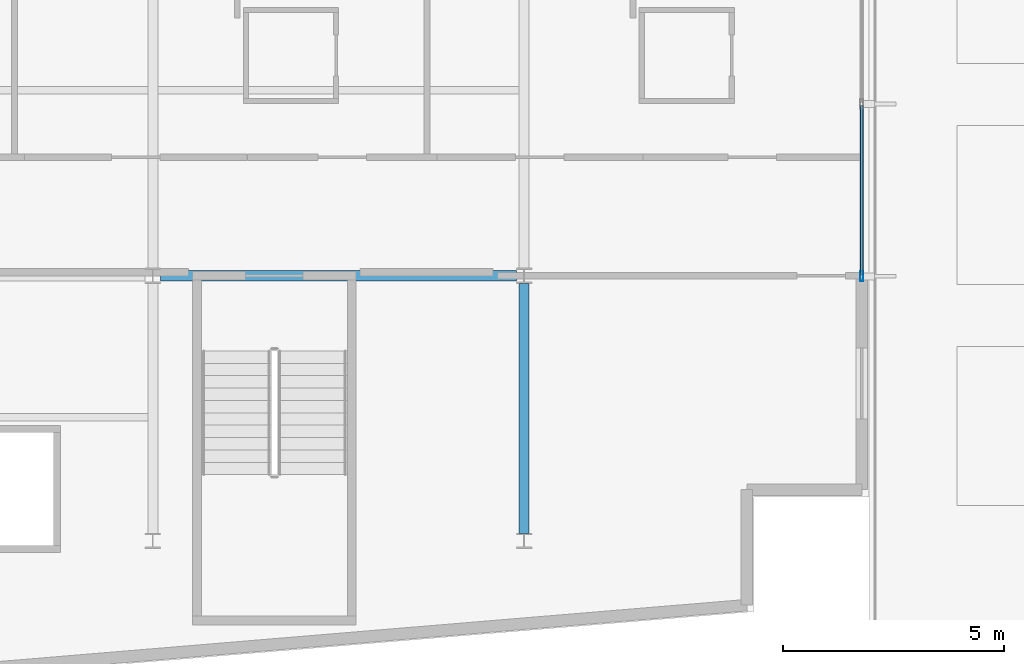
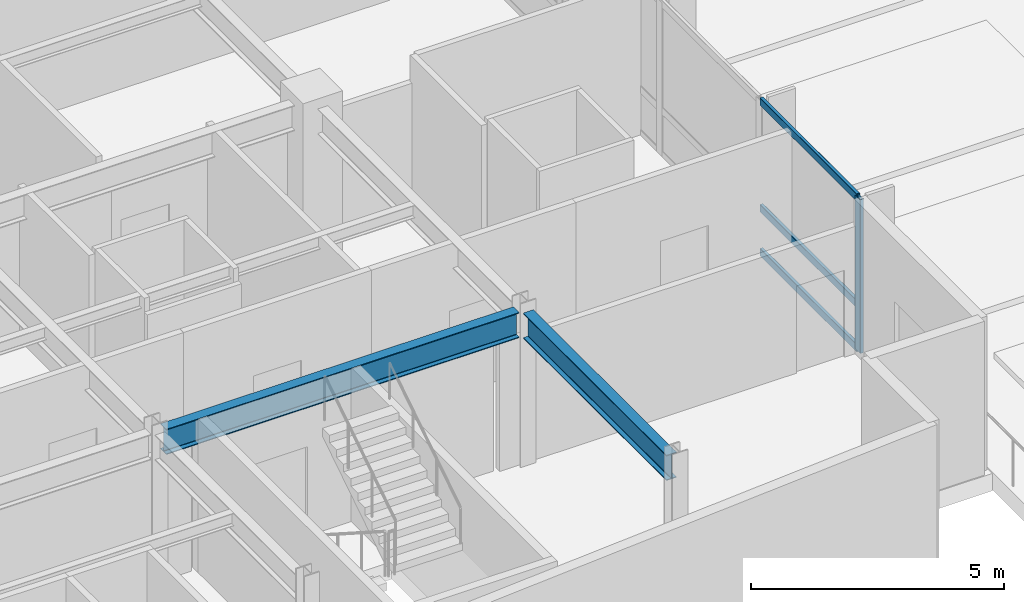
# One storey, part 4 of 20: 4 members, 2 beams, 1 element without a shape of its own.
"""IFC4 building model written with IfcOpenShell, lengths in metres."""

from ifc_helpers import new_model, si_unit, direction, frame, origin, origin_2d, place, context, subcontext, project, spatial, hollow_rectangle, i_section, extrude, material, layer, layer_set, material_profile, profile_set, type_object, element, aggregate, save


model = new_model("IFC4")

# Units and contexts
model_context = context("Model", 3, precision=1e-05, world=origin(), true_north=direction((0.0, 1.0)))
body_context = subcontext(model_context, "Body", "Model", "MODEL_VIEW")
ifc_project = project(units=[si_unit("LENGTHUNIT", "METRE"), si_unit("AREAUNIT", "SQUARE_METRE"), si_unit("VOLUMEUNIT", "CUBIC_METRE"), si_unit("PLANEANGLEUNIT", "RADIAN"), si_unit("MASSUNIT", "GRAM", prefix="KILO")], contexts=[model_context])

# Site, building, storey
site_placement = place(None, origin())
site = spatial("IfcSite", under=ifc_project, at=site_placement, CompositionType="ELEMENT")
building_placement = place(site_placement, origin())
building = spatial("IfcBuilding", under=site, at=building_placement, Name="Varnakote Quay Hospital", CompositionType="ELEMENT")
storey_placement = place(building_placement, frame((0.0, 0.0, 22.5)))
storey = spatial("IfcBuildingStorey", under=building, at=storey_placement, Name="L05", CompositionType="ELEMENT", Elevation=22.5)

# Beams
ifc_material_1 = material(Name="Structural steel AS/NZS 3679.1 Grade 350 L0 (fy 340 MPa)", Category="steel")
ifc_material_profile_1 = material_profile(ifc_material_1, i_section(OverallWidth=0.22900390625, OverallDepth=0.612060546875, WebThickness=0.011962890625, FlangeThickness=0.01953125, FilletRadius=0.013916015625, at=origin_2d()), Name="610UB125")
ifc_profile_set_1 = profile_set([ifc_material_profile_1], Name="Structural steel AS/NZS 3679.1 Grade 350 L0 (fy 340 MPa)")
beam_type = type_object("IfcBeamType", Name="BM-STL-610UB125", PredefinedType="BEAM", material=ifc_profile_set_1)
beam_1_placement = place(storey_placement, frame((42.175048828125, 12.0, 3.404052734375), z_axis=(1.0, 0.0, 0.0), x_axis=(0.0, 1.0, 0.0)))
element("IfcBeam", 1, at=beam_1_placement, inside=storey, type_object=beam_type, Name="L05 Plated Composite Transfer Beam", PredefinedType="BEAM", context=body_context, shape_type="SweptSolid", body=[
    extrude(i_section(OverallWidth=0.22900390625, OverallDepth=0.612060546875, WebThickness=0.011962890625, FlangeThickness=0.01953125, FilletRadius=0.013916015625, at=origin_2d()), origin(), (0.0, 0.0, 1.0), 8.050048828125),
])
beam_2_placement = place(storey_placement, frame((50.39990234375, 6.169921875, 3.404052734375), z_axis=(0.0, 1.0, 0.0), x_axis=(-1.0, 0.0, 0.0)))
element("IfcBeam", 2, at=beam_2_placement, inside=storey, type_object=beam_type, Name="L05 Primary Tie Beam", PredefinedType="BEAM", context=body_context, shape_type="SweptSolid", body=[
    extrude(i_section(OverallWidth=0.22900390625, OverallDepth=0.612060546875, WebThickness=0.011962890625, FlangeThickness=0.01953125, FilletRadius=0.013916015625, at=origin_2d()), origin(), (0.0, 0.0, 1.0), 5.66015625),
])

# Curtain wall, members
ifc_material_2 = material(Name="Anodised aluminium 6063-T6 Bronze", Category="aluminium")
ifc_layer = layer(ifc_material_2, 0.18994140625)
ifc_layer_set = layer_set([ifc_layer], Name="Anodised aluminium 6063-T6 Bronze")
curtain_wall_type = type_object("IfcCurtainWallType", Name="CW-SYS-2", PredefinedType="NOTDEFINED", material=ifc_layer_set)
curtain_wall_placement = place(storey_placement, origin())
curtain_wall = element("IfcCurtainWall", 3, at=curtain_wall_placement, inside=storey, type_object=curtain_wall_type, Name="L05 Unitised Bronze Curtain Wall 1", PredefinedType="NOTDEFINED")
ifc_material_3 = material(Name="Anodised aluminium 6063-T6 Bronze", Category="aluminium")
ifc_material_profile_2 = material_profile(ifc_material_3, hollow_rectangle(XDim=0.074951171875, YDim=0.219970703125, WallThickness=0.00439453125, InnerFilletRadius=0.00439453125, OuterFilletRadius=0.009033203125, at=origin_2d()), Name="CW-MULL-220x75")
ifc_profile_set_2 = profile_set([ifc_material_profile_2], Name="Anodised aluminium 6063-T6 Bronze")
member_type_1 = type_object("IfcMemberType", Name="CW-MULL-220x75", PredefinedType="MULLION", material=ifc_profile_set_2)
member_1_placement = place(storey_placement, frame((58.0400390625, 11.987548828125, 0.0), z_axis=(0.0, 0.0, 1.0), x_axis=(-1.0, 0.0, 0.0)))
member_1 = element("IfcMember", 4, at=member_1_placement, type_object=member_type_1, Name="-2-L05-1 mullion 1", PredefinedType="MULLION", context=body_context, shape_type="SweptSolid", body=[
    extrude(hollow_rectangle(XDim=0.074951171875, YDim=0.219970703125, WallThickness=0.00439453125, InnerFilletRadius=0.00439453125, OuterFilletRadius=0.009033203125, at=origin_2d()), origin(), (0.0, 0.0, 1.0), 3.7099609375),
])
ifc_material_4 = material(Name="Anodised aluminium 6063-T6 Bronze", Category="aluminium")
ifc_material_profile_3 = material_profile(ifc_material_4, hollow_rectangle(XDim=0.074951171875, YDim=0.179931640625, WallThickness=0.004150390625, InnerFilletRadius=0.004150390625, OuterFilletRadius=0.00830078125, at=origin_2d()), Name="CW-TRAN-180x75")
ifc_profile_set_3 = profile_set([ifc_material_profile_3], Name="Anodised aluminium 6063-T6 Bronze")
member_type_2 = type_object("IfcMemberType", Name="CW-TRAN-180x75", PredefinedType="USERDEFINED", material=ifc_profile_set_3)
member_2_placement = place(storey_placement, frame((58.0400390625, 12.02490234375, 0.03759765625), z_axis=(0.0, 1.0, 0.0), x_axis=(-1.0, 0.0, 0.0)))
member_2 = element("IfcMember", 5, at=member_2_placement, type_object=member_type_2, Name="-2-L05-1 transom 1.1", ObjectType="TRANSOM", PredefinedType="USERDEFINED", context=body_context, shape_type="SweptSolid", body=[
    extrude(hollow_rectangle(XDim=0.074951171875, YDim=0.179931640625, WallThickness=0.004150390625, InnerFilletRadius=0.004150390625, OuterFilletRadius=0.00830078125, at=origin_2d()), origin(), (0.0, 0.0, 1.0), 3.82568359375),
])
member_3_placement = place(storey_placement, frame((58.0400390625, 12.02490234375, 1.10009765625), z_axis=(0.0, 1.0, 0.0), x_axis=(-1.0, 0.0, 0.0)))
member_3 = element("IfcMember", 6, at=member_3_placement, type_object=member_type_2, Name="-2-L05-1 transom 1.2", ObjectType="TRANSOM", PredefinedType="USERDEFINED", context=body_context, shape_type="SweptSolid", body=[
    extrude(hollow_rectangle(XDim=0.074951171875, YDim=0.179931640625, WallThickness=0.004150390625, InnerFilletRadius=0.004150390625, OuterFilletRadius=0.00830078125, at=origin_2d()), origin(), (0.0, 0.0, 1.0), 3.82568359375),
])
member_4_placement = place(storey_placement, frame((58.0400390625, 12.02490234375, 3.672607421875), z_axis=(0.0, 1.0, 0.0), x_axis=(-1.0, 0.0, 0.0)))
member_4 = element("IfcMember", 7, at=member_4_placement, type_object=member_type_2, Name="-2-L05-1 transom 1.3", ObjectType="TRANSOM", PredefinedType="USERDEFINED", context=body_context, shape_type="SweptSolid", body=[
    extrude(hollow_rectangle(XDim=0.074951171875, YDim=0.179931640625, WallThickness=0.004150390625, InnerFilletRadius=0.004150390625, OuterFilletRadius=0.00830078125, at=origin_2d()), origin(), (0.0, 0.0, 1.0), 3.82568359375),
])
aggregate(curtain_wall, [member_1, member_2, member_3, member_4])

save(model, "model.ifc")
